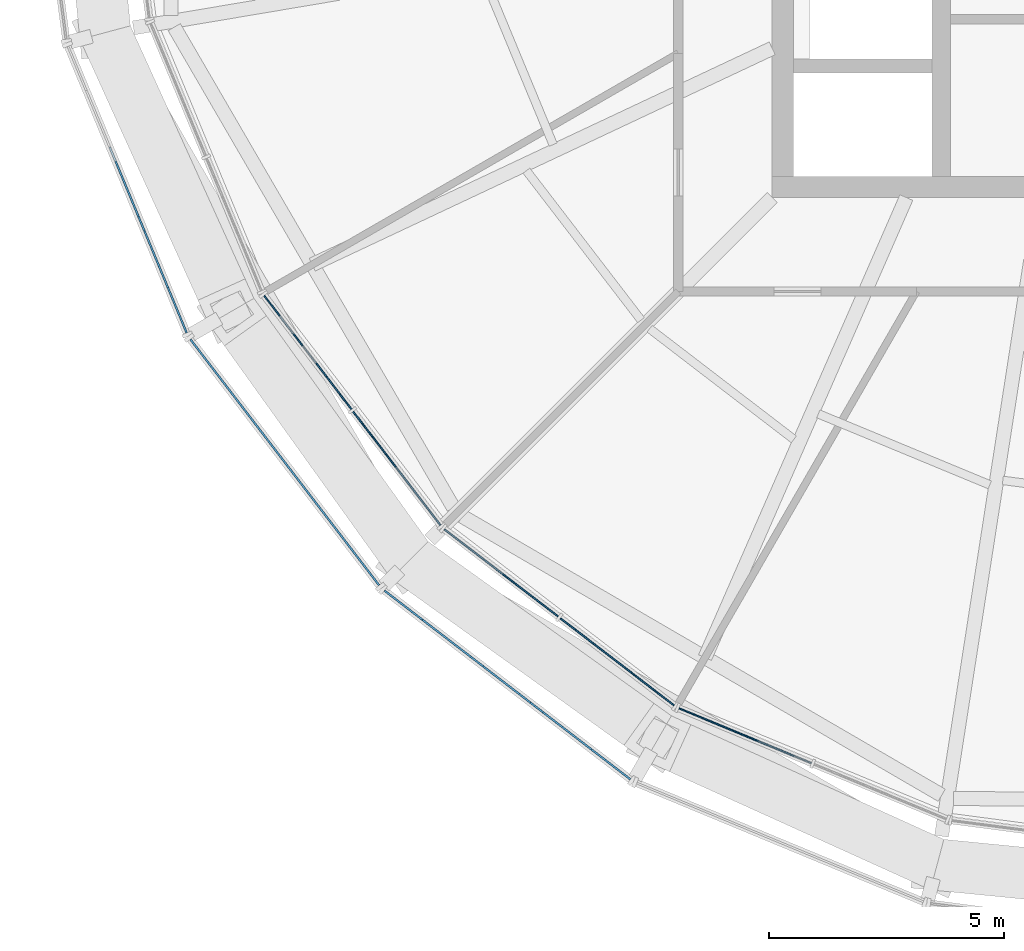
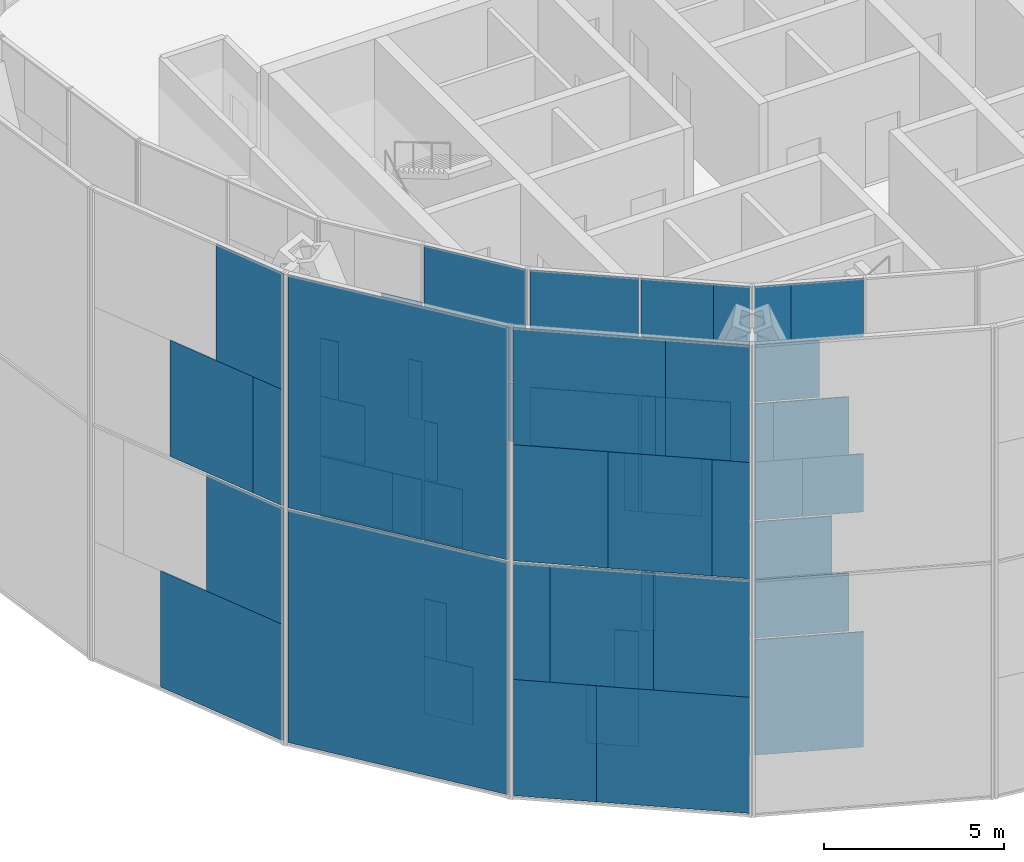
# One storey, part 13 of 30: 63 plates, 6 elements without a shape of their own.
"""IFC4 building model written with IfcOpenShell, lengths in metres."""

import ifcopenshell
import ifcopenshell.guid

model = None  # the IFC model being written
_history = None  # IfcOwnerHistory: only IFC2X3 demands one
_inside = {}  # id of a spatial element -> (the spatial element, [elements in it])
_under = {}  # id of a project, library or spatial element -> (it, [spatial elements below it])
_declared = {}  # id of a project -> (the project, [libraries it declares])
_typed = {}  # id of a type object -> (the type object, [elements of that type])
_made_of = {}  # id of a material, layer set ... -> (it, [elements and type objects made of it])


def new_model(schema):
    """Start an empty IFC model of exactly this schema.

    Asked for "IFC4X3", IfcOpenShell would pick the latest addendum, in which some entities
    have other attributes; the version numbers below select the first issue.
    IFC2X3 requires an IfcOwnerHistory on every rooted entity: one is made here for all.
    """
    global model, _history
    if schema == "IFC4X3":
        model = ifcopenshell.file(schema_version=(4, 3, 0, 0))
    else:
        model = ifcopenshell.file(schema=schema)
    _inside.clear()
    _under.clear()
    _declared.clear()
    _typed.clear()
    _made_of.clear()
    _history = None
    if model.schema == "IFC2X3":
        org = make("IfcOrganization", Name="unknown")
        user = make(
            "IfcPersonAndOrganization",
            ThePerson=make("IfcPerson", FamilyName="unknown"),
            TheOrganization=org,
        )
        app = make(
            "IfcApplication",
            ApplicationDeveloper=org,
            Version="unknown",
            ApplicationFullName="unknown",
            ApplicationIdentifier="unknown",
        )
        _history = make(
            "IfcOwnerHistory",
            OwningUser=user,
            OwningApplication=app,
            ChangeAction="ADDED",
            CreationDate=0,
        )
    return model


def make(cls, **values):
    """One entity of the class cls with the attributes given. An attribute that is None is left unset."""
    return model.create_entity(
        cls, **{name: value for name, value in values.items() if value is not None}
    )


def rooted(cls, **values):
    """An entity with a GlobalId (a new one), such as an element, a storey or a relation."""
    return make(cls, GlobalId=ifcopenshell.guid.new(), OwnerHistory=_history, **values)


def si_unit(unit_type, name, prefix=None):
    """IfcSIUnit, for example si_unit("LENGTHUNIT", "METRE", prefix="MILLI")."""
    return make("IfcSIUnit", UnitType=unit_type, Prefix=prefix, Name=name)


def assignment(units):
    """IfcUnitAssignment: the units of a project."""
    return None if units is None else make("IfcUnitAssignment", Units=units)


def point(xyz):
    """IfcCartesianPoint."""
    return None if xyz is None else make("IfcCartesianPoint", Coordinates=xyz)


def direction(xyz):
    """IfcDirection."""
    return None if xyz is None else make("IfcDirection", DirectionRatios=xyz)


def frame(location, z_axis=None, x_axis=None):
    """IfcAxis2Placement3D, a coordinate frame: its origin and axes. An axis left out is left unset."""
    return make(
        "IfcAxis2Placement3D",
        Location=point(location),
        Axis=direction(z_axis),
        RefDirection=direction(x_axis),
    )


def frame_2d(location, x_axis=None):
    """IfcAxis2Placement2D, a coordinate frame in the plane: its origin and x axis."""
    return make(
        "IfcAxis2Placement2D", Location=point(location), RefDirection=direction(x_axis)
    )


def origin():
    """The frame at (0, 0, 0) with its axes left unset."""
    return frame((0.0, 0.0, 0.0))


def origin_2d():
    """The frame at (0, 0) in the plane with its x axis left unset."""
    return frame_2d((0.0, 0.0))


def place(relative_to, where):
    """IfcLocalPlacement: puts the frame where relative to a parent placement (None: the world)."""
    return make(
        "IfcLocalPlacement", PlacementRelTo=relative_to, RelativePlacement=where
    )


def context(
    kind, dimensions, precision=None, world=None, true_north=None, identifier=None
):
    """IfcGeometricRepresentationContext, for example the 3D "Model" context."""
    return make(
        "IfcGeometricRepresentationContext",
        ContextIdentifier=identifier,
        ContextType=kind,
        CoordinateSpaceDimension=dimensions,
        Precision=precision,
        WorldCoordinateSystem=world,
        TrueNorth=true_north,
    )


def subcontext(parent, identifier, kind, view, scale=None):
    """IfcGeometricRepresentationSubContext, for example "Body" below "Model"."""
    return make(
        "IfcGeometricRepresentationSubContext",
        ContextIdentifier=identifier,
        ContextType=kind,
        ParentContext=parent,
        TargetScale=scale,
        TargetView=view,
    )


def project(units=None, contexts=None):
    """IfcProject with its units and contexts."""
    return rooted(
        "IfcProject",
        Name="project",
        RepresentationContexts=contexts,
        UnitsInContext=assignment(units),
    )


def spatial(cls, under=None, at=None, **own):
    """A site, building, storey or space (cls), placed at a placement, below another one or the project."""
    s = rooted(cls, ObjectPlacement=at, **own)
    if under is not None:
        _under.setdefault(under.id(), (under, []))[1].append(s)
    return s


def profile(cls, at=None, kind="AREA", **sizes):
    """A parametric profile (cls). Its sizes go by their IFC names, for example OverallWidth=200.0."""
    return make(cls, ProfileType=kind, Position=at, **sizes)


def rectangle(**sizes):
    """IfcRectangleProfileDef."""
    return profile("IfcRectangleProfileDef", **sizes)


def extrude(swept, where, along, depth):
    """IfcExtrudedAreaSolid: the profile swept, set in the frame where, extruded along a direction by depth."""
    return make(
        "IfcExtrudedAreaSolid",
        SweptArea=swept,
        Position=where,
        ExtrudedDirection=direction(along),
        Depth=depth,
    )


def shape(context_of_items, identifier, shape_type, items):
    """IfcShapeRepresentation: the items that make up one representation, for example the "Body"."""
    return make(
        "IfcShapeRepresentation",
        ContextOfItems=context_of_items,
        RepresentationIdentifier=identifier,
        RepresentationType=shape_type,
        Items=items,
    )


def material(Name=None, Category=None):
    """IfcMaterial."""
    return make("IfcMaterial", Name=Name, Category=Category)


def layer(
    of_material, thickness, ventilated=None, Name=None, Category=None, Priority=None
):
    """IfcMaterialLayer: one layer of a wall or slab, of a material (None: an air gap)."""
    return make(
        "IfcMaterialLayer",
        Material=of_material,
        LayerThickness=thickness,
        IsVentilated=ventilated,
        Name=Name,
        Category=Category,
        Priority=Priority,
    )


def layer_set(layers, Name=None):
    """IfcMaterialLayerSet."""
    return make("IfcMaterialLayerSet", MaterialLayers=layers, LayerSetName=Name)


def made_of(thing, what):
    """Note that an element or type object is made of a material, layer set ...; save() writes the relation."""
    if what is not None:
        _made_of.setdefault(what.id(), (what, []))[1].append(thing)
    return thing


def type_object(cls, material=None, **own):
    """A type object (cls), such as IfcWallType, which elements share."""
    return made_of(rooted(cls, **own), material)


def element(
    cls,
    number,
    at=None,
    inside=None,
    cuts=None,
    type_object=None,
    material=None,
    context=None,
    identifier="Body",
    shape_type=None,
    held_by="IfcProductDefinitionShape",
    body=None,
    shapes=None,
    **own,
):
    """One element of the class cls, such as IfcWall. Its Tag is "e" and its number.

    at: its placement. inside: the storey or other place that contains it. cuts: it is an
    opening in that element (IfcRelVoidsElement). A single representation is given by context,
    identifier, shape_type and body (its items); several are given by shapes. held_by: the class
    of the entity that holds the representations. save() writes the other relations.
    """
    e = rooted(cls, Tag="e%d" % number, ObjectPlacement=at, **own)
    if body is not None:
        shapes = [shape(context, identifier, shape_type, body)]
    if shapes is not None:
        e.Representation = make(held_by, Representations=shapes)
    if inside is not None:
        _inside.setdefault(inside.id(), (inside, []))[1].append(e)
    if cuts is not None:
        rooted(
            "IfcRelVoidsElement", RelatingBuildingElement=cuts, RelatedOpeningElement=e
        )
    if type_object is not None:
        _typed.setdefault(type_object.id(), (type_object, []))[1].append(e)
    return made_of(e, material)


def aggregate(whole, parts):
    """IfcRelAggregates: a whole, such as a stair, and the parts it consists of."""
    return rooted("IfcRelAggregates", RelatingObject=whole, RelatedObjects=parts)


def save(model, path):
    """Write the relations noted so far, then the file.

    IfcRelAggregates (storeys below a building ...), IfcRelContainedInSpatialStructure (elements
    in a storey), IfcRelDefinesByType, IfcRelAssociatesMaterial and IfcRelDeclares: one each for
    every whole, place, type object, material and project.
    """
    for whole, parts in _under.values():
        aggregate(whole, parts)
    for where, things in _inside.values():
        rooted(
            "IfcRelContainedInSpatialStructure",
            RelatedElements=things,
            RelatingStructure=where,
        )
    for kind, things in _typed.values():
        rooted("IfcRelDefinesByType", RelatedObjects=things, RelatingType=kind)
    for what, things in _made_of.values():
        rooted("IfcRelAssociatesMaterial", RelatedObjects=things, RelatingMaterial=what)
    for by, libraries in _declared.values():
        rooted("IfcRelDeclares", RelatingContext=by, RelatedDefinitions=libraries)
    model.write(path)


model = new_model("IFC4")

# Units and contexts
model_context = context("Model", 3, precision=1e-05, world=origin(), true_north=direction((0.0, 1.0)))
body_context = subcontext(model_context, "Body", "Model", "MODEL_VIEW")
ifc_project = project(units=[si_unit("LENGTHUNIT", "METRE"), si_unit("AREAUNIT", "SQUARE_METRE"), si_unit("VOLUMEUNIT", "CUBIC_METRE"), si_unit("PLANEANGLEUNIT", "RADIAN"), si_unit("MASSUNIT", "GRAM", prefix="KILO")], contexts=[model_context])

# Site, building, storey
site_placement = place(None, origin())
site = spatial("IfcSite", under=ifc_project, at=site_placement, CompositionType="ELEMENT")
building_placement = place(site_placement, origin())
building = spatial("IfcBuilding", under=site, at=building_placement, Name="Golbaran Civic Tower", CompositionType="ELEMENT")
storey_placement = place(building_placement, frame((0.0, 0.0, 167.0)))
storey = spatial("IfcBuildingStorey", under=building, at=storey_placement, Name="L40", CompositionType="ELEMENT", Elevation=167.0)

# Curtain wall, plates
ifc_material_1 = material(Name="Aluminium and glass", Category="aluminium")
curtain_wall_type_1 = type_object("IfcCurtainWallType", Name="INNER SKIN CURTAIN WALL EXECUTIVE", PredefinedType="NOTDEFINED", material=ifc_material_1)
curtain_wall_1_placement = place(storey_placement, origin())
curtain_wall_1 = element("IfcCurtainWall", 1, at=curtain_wall_1_placement, inside=storey, type_object=curtain_wall_type_1, Name="Inner skin L40 facet 15 CW2", ObjectType="INNER SKIN", PredefinedType="USERDEFINED")
ifc_material_2 = material(Name="Clear insulating glass", Category="glass")
ifc_layer_1 = layer(ifc_material_2, 0.031982421875, Name="Clear insulating glass")
ifc_layer_set_1 = layer_set([ifc_layer_1], Name="Clear insulating glass")
plate_type_1 = type_object("IfcPlateType", Name="INNER SKIN CURTAIN WALL EXECUTIVE GLAZED PANEL", PredefinedType="CURTAIN_PANEL", material=ifc_layer_set_1)
plate_1_placement = place(storey_placement, frame((-20.0126953125, -13.14111328125, 4.02978515625), z_axis=(0.0, 0.0, 1.0), x_axis=(0.608761429036, -0.79335334027, 0.0)))
plate_1 = element("IfcPlate", 2, at=plate_1_placement, type_object=plate_type_1, Name="CW2 panel 1.2 part 1", PredefinedType="CURTAIN_PANEL", context=body_context, shape_type="SweptSolid", body=[
    extrude(rectangle(XDim=2.652099609375, YDim=0.031982421875, at=origin_2d()), origin(), (0.0, 0.0, 1.0), 1.969970703125),
])
plate_2_placement = place(storey_placement, frame((-20.15966796875, -12.949462890625, 6.0), z_axis=(0.0, 0.0, 1.0), x_axis=(0.608761429036, -0.79335334027, 0.0)))
plate_2 = element("IfcPlate", 3, at=plate_2_placement, type_object=plate_type_1, Name="CW2 panel 1.2 part 3", PredefinedType="CURTAIN_PANEL", context=body_context, shape_type="SweptSolid", body=[
    extrude(rectangle(XDim=2.1689453125, YDim=0.031982421875, at=origin_2d()), origin(), (0.0, 0.0, 1.0), 1.969970703125),
])
plate_3_placement = place(storey_placement, frame((-20.411376953125, -12.621337890625, 8.02978515625), z_axis=(0.0, 0.0, 1.0), x_axis=(0.608761429036, -0.79335334027, 0.0)))
plate_3 = element("IfcPlate", 4, at=plate_3_placement, type_object=plate_type_1, Name="CW2 panel 1.3 part 1", PredefinedType="CURTAIN_PANEL", context=body_context, shape_type="SweptSolid", body=[
    extrude(rectangle(XDim=1.342041015625, YDim=0.031982421875, at=origin_2d()), origin(), (0.0, 0.0, 1.0), 1.969970703125),
])
plate_4_placement = place(storey_placement, frame((-20.655517578125, -12.30322265625, 10.0), z_axis=(0.0, 0.0, 1.0), x_axis=(0.608761429036, -0.79335334027, 0.0)))
plate_4 = element("IfcPlate", 5, at=plate_4_placement, type_object=plate_type_1, Name="CW2 panel 1.3 part 3", PredefinedType="CURTAIN_PANEL", context=body_context, shape_type="SweptSolid", body=[
    extrude(rectangle(XDim=0.5400390625, YDim=0.031982421875, at=origin_2d()), origin(), (0.0, 0.0, 1.0), 1.969970703125),
])
plate_5_placement = place(storey_placement, frame((-19.085205078125, -14.349853515625, 10.0), z_axis=(0.0, 0.0, 1.0), x_axis=(0.608761429036, -0.79335334027, 0.0)))
plate_5 = element("IfcPlate", 6, at=plate_5_placement, type_object=plate_type_1, Name="CW2 panel 1.3 part 5", PredefinedType="CURTAIN_PANEL", context=body_context, shape_type="SweptSolid", body=[
    extrude(rectangle(XDim=0.407470703125, YDim=0.031982421875, at=origin_2d()), origin(), (0.0, 0.0, 1.0), 1.969970703125),
])
plate_6_placement = place(storey_placement, frame((-19.336669921875, -14.022216796875, 12.030029296875), z_axis=(0.0, 0.0, 1.0), x_axis=(0.608761429036, -0.79335334027, 0.0)))
plate_6 = element("IfcPlate", 7, at=plate_6_placement, type_object=plate_type_1, Name="CW2 panel 1.4 part 2", PredefinedType="CURTAIN_PANEL", context=body_context, shape_type="SweptSolid", body=[
    extrude(rectangle(XDim=1.2333984375, YDim=0.031982421875, at=origin_2d()), origin(), (0.0, 0.0, 1.0), 1.955078125),
])
plate_7_placement = place(storey_placement, frame((-18.47412109375, -15.146240234375, 0.06005859375), z_axis=(0.0, 0.0, 1.0), x_axis=(0.608761429036, -0.79335334027, 0.0)))
plate_7 = element("IfcPlate", 8, at=plate_7_placement, type_object=plate_type_1, Name="CW2 panel 2.1 part 1", PredefinedType="CURTAIN_PANEL", context=body_context, shape_type="SweptSolid", body=[
    extrude(rectangle(XDim=1.47998046875, YDim=0.031982421875, at=origin_2d()), origin(), (0.0, 0.0, 1.0), 1.955078125),
])
plate_8_placement = place(storey_placement, frame((-18.71630859375, -14.83056640625, 2.014892578125), z_axis=(0.0, 0.0, 1.0), x_axis=(0.608761429036, -0.79335334027, 0.0)))
plate_8 = element("IfcPlate", 9, at=plate_8_placement, type_object=plate_type_1, Name="CW2 panel 2.1 part 3", PredefinedType="CURTAIN_PANEL", context=body_context, shape_type="SweptSolid", body=[
    extrude(rectangle(XDim=0.68408203125, YDim=0.031982421875, at=origin_2d()), origin(), (0.0, 0.0, 1.0), 1.955078125),
])
plate_9_placement = place(storey_placement, frame((-17.9951171875, -15.7705078125, 10.0), z_axis=(0.0, 0.0, 1.0), x_axis=(0.608761429036, -0.79335334027, 0.0)))
plate_9 = element("IfcPlate", 10, at=plate_9_placement, type_object=plate_type_1, Name="CW2 panel 2.3 part 3", PredefinedType="CURTAIN_PANEL", context=body_context, shape_type="SweptSolid", body=[
    extrude(rectangle(XDim=3.053466796875, YDim=0.031982421875, at=origin_2d()), origin(), (0.0, 0.0, 1.0), 1.969970703125),
])
plate_10_placement = place(storey_placement, frame((-17.9951171875, -15.7705078125, 12.0302734375), z_axis=(0.0, 0.0, 1.0), x_axis=(0.608761429036, -0.79335334027, 0.0)))
plate_10 = element("IfcPlate", 11, at=plate_10_placement, type_object=plate_type_1, Name="CW2 panel 2.4", PredefinedType="CURTAIN_PANEL", context=body_context, shape_type="SweptSolid", body=[
    extrude(rectangle(XDim=3.053466796875, YDim=0.031982421875, at=origin_2d()), origin(), (0.0, 0.0, 1.0), 3.909912109375),
])

curtain_wall_2_placement = place(storey_placement, origin())
curtain_wall_2 = element("IfcCurtainWall", 12, at=curtain_wall_2_placement, inside=storey, type_object=curtain_wall_type_1, Name="Inner skin L40 facet 16 CW2", ObjectType="INNER SKIN", PredefinedType="USERDEFINED")
plate_11_placement = place(storey_placement, frame((-15.14599609375, -18.474365234375, 0.06005859375), z_axis=(0.0, 0.0, 1.0), x_axis=(0.79335334027, -0.608761429036, 0.0)))
plate_11 = element("IfcPlate", 13, at=plate_11_placement, type_object=plate_type_1, Name="CW2 panel 1.1 part 2", PredefinedType="CURTAIN_PANEL", context=body_context, shape_type="SweptSolid", body=[
    extrude(rectangle(XDim=1.4794921875, YDim=0.031982421875, at=origin_2d()), origin(), (0.0, 0.0, 1.0), 1.955078125),
])
plate_12_placement = place(storey_placement, frame((-14.830322265625, -18.716552734375, 2.014892578125), z_axis=(0.0, 0.0, 1.0), x_axis=(0.79335334027, -0.608761429036, 0.0)))
plate_12 = element("IfcPlate", 14, at=plate_12_placement, type_object=plate_type_1, Name="CW2 panel 1.1 part 4", PredefinedType="CURTAIN_PANEL", context=body_context, shape_type="SweptSolid", body=[
    extrude(rectangle(XDim=0.683349609375, YDim=0.031982421875, at=origin_2d()), origin(), (0.0, 0.0, 1.0), 1.955078125),
])
plate_13_placement = place(storey_placement, frame((-15.7705078125, -17.9951171875, 10.0), z_axis=(0.0, 0.0, 1.0), x_axis=(0.79335334027, -0.608761429036, 0.0)))
plate_13 = element("IfcPlate", 15, at=plate_13_placement, type_object=plate_type_1, Name="CW2 panel 1.3 part 3", PredefinedType="CURTAIN_PANEL", context=body_context, shape_type="SweptSolid", body=[
    extrude(rectangle(XDim=3.053466796875, YDim=0.031982421875, at=origin_2d()), origin(), (0.0, 0.0, 1.0), 1.969970703125),
])
plate_14_placement = place(storey_placement, frame((-15.7705078125, -17.9951171875, 12.0302734375), z_axis=(0.0, 0.0, 1.0), x_axis=(0.79335334027, -0.608761429036, 0.0)))
plate_14 = element("IfcPlate", 16, at=plate_14_placement, type_object=plate_type_1, Name="CW2 panel 1.4", PredefinedType="CURTAIN_PANEL", context=body_context, shape_type="SweptSolid", body=[
    extrude(rectangle(XDim=3.053466796875, YDim=0.031982421875, at=origin_2d()), origin(), (0.0, 0.0, 1.0), 3.909912109375),
])
plate_15_placement = place(storey_placement, frame((-13.30029296875, -19.890625, 0.06005859375), z_axis=(0.0, 0.0, 1.0), x_axis=(0.79335334027, -0.608761429036, 0.0)))
plate_15 = element("IfcPlate", 17, at=plate_15_placement, type_object=plate_type_1, Name="CW2 panel 2.1", PredefinedType="CURTAIN_PANEL", context=body_context, shape_type="SweptSolid", body=[
    extrude(rectangle(XDim=3.053466796875, YDim=0.031982421875, at=origin_2d()), origin(), (0.0, 0.0, 1.0), 3.909912109375),
])
plate_16_placement = place(storey_placement, frame((-13.141357421875, -20.0126953125, 4.02978515625), z_axis=(0.0, 0.0, 1.0), x_axis=(0.79335334027, -0.608761429036, 0.0)))
plate_16 = element("IfcPlate", 18, at=plate_16_placement, type_object=plate_type_1, Name="CW2 panel 2.2 part 2", PredefinedType="CURTAIN_PANEL", context=body_context, shape_type="SweptSolid", body=[
    extrude(rectangle(XDim=2.65234375, YDim=0.031982421875, at=origin_2d()), origin(), (0.0, 0.0, 1.0), 1.969970703125),
])
plate_17_placement = place(storey_placement, frame((-12.94921875, -20.159912109375, 6.0), z_axis=(0.0, 0.0, 1.0), x_axis=(0.79335334027, -0.608761429036, 0.0)))
plate_17 = element("IfcPlate", 19, at=plate_17_placement, type_object=plate_type_1, Name="CW2 panel 2.2 part 4", PredefinedType="CURTAIN_PANEL", context=body_context, shape_type="SweptSolid", body=[
    extrude(rectangle(XDim=2.16845703125, YDim=0.031982421875, at=origin_2d()), origin(), (0.0, 0.0, 1.0), 1.969970703125),
])
plate_18_placement = place(storey_placement, frame((-12.62158203125, -20.411376953125, 8.02978515625), z_axis=(0.0, 0.0, 1.0), x_axis=(0.79335334027, -0.608761429036, 0.0)))
plate_18 = element("IfcPlate", 20, at=plate_18_placement, type_object=plate_type_1, Name="CW2 panel 2.3 part 2", PredefinedType="CURTAIN_PANEL", context=body_context, shape_type="SweptSolid", body=[
    extrude(rectangle(XDim=1.342529296875, YDim=0.031982421875, at=origin_2d()), origin(), (0.0, 0.0, 1.0), 1.969970703125),
])
plate_19_placement = place(storey_placement, frame((-14.35009765625, -19.0849609375, 10.0), z_axis=(0.0, 0.0, 1.0), x_axis=(0.79335334027, -0.608761429036, 0.0)))
plate_19 = element("IfcPlate", 21, at=plate_19_placement, type_object=plate_type_1, Name="CW2 panel 2.3 part 3", PredefinedType="CURTAIN_PANEL", context=body_context, shape_type="SweptSolid", body=[
    extrude(rectangle(XDim=0.406982421875, YDim=0.031982421875, at=origin_2d()), origin(), (0.0, 0.0, 1.0), 1.969970703125),
])
plate_20_placement = place(storey_placement, frame((-12.302978515625, -20.65576171875, 10.0), z_axis=(0.0, 0.0, 1.0), x_axis=(0.79335334027, -0.608761429036, 0.0)))
plate_20 = element("IfcPlate", 22, at=plate_20_placement, type_object=plate_type_1, Name="CW2 panel 2.3 part 5", PredefinedType="CURTAIN_PANEL", context=body_context, shape_type="SweptSolid", body=[
    extrude(rectangle(XDim=0.53955078125, YDim=0.031982421875, at=origin_2d()), origin(), (0.0, 0.0, 1.0), 1.969970703125),
])
plate_21_placement = place(storey_placement, frame((-14.02197265625, -19.336669921875, 12.030029296875), z_axis=(0.0, 0.0, 1.0), x_axis=(0.79335334027, -0.608761429036, 0.0)))
plate_21 = element("IfcPlate", 23, at=plate_21_placement, type_object=plate_type_1, Name="CW2 panel 2.4 part 1", PredefinedType="CURTAIN_PANEL", context=body_context, shape_type="SweptSolid", body=[
    extrude(rectangle(XDim=1.23388671875, YDim=0.031982421875, at=origin_2d()), origin(), (0.0, 0.0, 1.0), 1.955078125),
])
plate_22_placement = place(storey_placement, frame((-13.706298828125, -19.5791015625, 13.98486328125), z_axis=(0.0, 0.0, 1.0), x_axis=(0.79335334027, -0.608761429036, 0.0)))
plate_22 = element("IfcPlate", 24, at=plate_22_placement, type_object=plate_type_1, Name="CW2 panel 2.4 part 3", PredefinedType="CURTAIN_PANEL", context=body_context, shape_type="SweptSolid", body=[
    extrude(rectangle(XDim=2.030029296875, YDim=0.031982421875, at=origin_2d()), origin(), (0.0, 0.0, 1.0), 1.955078125),
])

curtain_wall_3_placement = place(storey_placement, origin())
curtain_wall_3 = element("IfcCurtainWall", 25, at=curtain_wall_3_placement, inside=storey, type_object=curtain_wall_type_1, Name="Inner skin L40 facet 17 CW2", ObjectType="INNER SKIN", PredefinedType="USERDEFINED")
plate_23_placement = place(storey_placement, frame((-10.575439453125, -21.463623046875, 0.06005859375), z_axis=(0.0, 0.0, 1.0), x_axis=(0.923879532471, -0.382683432462, 0.0)))
plate_23 = element("IfcPlate", 26, at=plate_23_placement, type_object=plate_type_1, Name="CW2 panel 1.1", PredefinedType="CURTAIN_PANEL", context=body_context, shape_type="SweptSolid", body=[
    extrude(rectangle(XDim=3.053466796875, YDim=0.031982421875, at=origin_2d()), origin(), (0.0, 0.0, 1.0), 3.909912109375),
])
plate_24_placement = place(storey_placement, frame((-10.760986328125, -21.386962890625, 4.02978515625), z_axis=(0.0, 0.0, 1.0), x_axis=(0.923879532471, -0.382683432462, 0.0)))
plate_24 = element("IfcPlate", 27, at=plate_24_placement, type_object=plate_type_1, Name="CW2 panel 1.2 part 1", PredefinedType="CURTAIN_PANEL", context=body_context, shape_type="SweptSolid", body=[
    extrude(rectangle(XDim=2.652099609375, YDim=0.031982421875, at=origin_2d()), origin(), (0.0, 0.0, 1.0), 1.969970703125),
])
plate_25_placement = place(storey_placement, frame((-10.984130859375, -21.29443359375, 6.0), z_axis=(0.0, 0.0, 1.0), x_axis=(0.923879532471, -0.382683432462, 0.0)))
plate_25 = element("IfcPlate", 28, at=plate_25_placement, type_object=plate_type_1, Name="CW2 panel 1.2 part 3", PredefinedType="CURTAIN_PANEL", context=body_context, shape_type="SweptSolid", body=[
    extrude(rectangle(XDim=2.1689453125, YDim=0.031982421875, at=origin_2d()), origin(), (0.0, 0.0, 1.0), 1.969970703125),
])
plate_26_placement = place(storey_placement, frame((-11.3662109375, -21.13623046875, 8.02978515625), z_axis=(0.0, 0.0, 1.0), x_axis=(0.923879532471, -0.382683432462, 0.0)))
plate_26 = element("IfcPlate", 29, at=plate_26_placement, type_object=plate_type_1, Name="CW2 panel 1.3 part 1", PredefinedType="CURTAIN_PANEL", context=body_context, shape_type="SweptSolid", body=[
    extrude(rectangle(XDim=1.342041015625, YDim=0.031982421875, at=origin_2d()), origin(), (0.0, 0.0, 1.0), 1.969970703125),
])
plate_27_placement = place(storey_placement, frame((-11.736572265625, -20.982666015625, 10.0), z_axis=(0.0, 0.0, 1.0), x_axis=(0.923879532471, -0.382683432462, 0.0)))
plate_27 = element("IfcPlate", 30, at=plate_27_placement, type_object=plate_type_1, Name="CW2 panel 1.3 part 3", PredefinedType="CURTAIN_PANEL", context=body_context, shape_type="SweptSolid", body=[
    extrude(rectangle(XDim=0.5400390625, YDim=0.031982421875, at=origin_2d()), origin(), (0.0, 0.0, 1.0), 1.969970703125),
])
plate_28_placement = place(storey_placement, frame((-10.1025390625, -21.65966796875, 13.98486328125), z_axis=(0.0, 0.0, 1.0), x_axis=(0.923879532471, -0.382683432462, 0.0)))
plate_28 = element("IfcPlate", 31, at=plate_28_placement, type_object=plate_type_1, Name="CW2 panel 1.4 part 4", PredefinedType="CURTAIN_PANEL", context=body_context, shape_type="SweptSolid", body=[
    extrude(rectangle(XDim=2.029541015625, YDim=0.031982421875, at=origin_2d()), origin(), (0.0, 0.0, 1.0), 1.955078125),
])

# Plate
ifc_material_3 = material(Name="Aluminium faced opaque infill panel", Category="aluminium")
ifc_layer_2 = layer(ifc_material_3, 0.031982421875, Name="Aluminium faced opaque infill panel")
ifc_layer_set_2 = layer_set([ifc_layer_2], Name="Aluminium faced opaque infill panel")
plate_type_2 = type_object("IfcPlateType", Name="INNER SKIN CURTAIN WALL EXECUTIVE OPAQUE INFILL PANEL", PredefinedType="CURTAIN_PANEL", material=ifc_layer_set_2)
plate_29_placement = place(storey_placement, frame((-19.083251953125, -14.352294921875, 4.02978515625), z_axis=(0.0, 0.0, 1.0), x_axis=(0.608761429036, -0.79335334027, 0.0)))
plate_29 = element("IfcPlate", 32, at=plate_29_placement, type_object=plate_type_2, Name="CW2 infill panel 1.2 part 2", PredefinedType="CURTAIN_PANEL", context=body_context, shape_type="SweptSolid", body=[
    extrude(rectangle(XDim=0.4013671875, YDim=0.031982421875, at=origin_2d()), origin(), (0.0, 0.0, 1.0), 1.969970703125),
])

plate_30_placement = place(storey_placement, frame((-19.23046875, -14.16064453125, 6.0), z_axis=(0.0, 0.0, 1.0), x_axis=(0.608761429036, -0.79335334027, 0.0)))
plate_30 = element("IfcPlate", 33, at=plate_30_placement, type_object=plate_type_2, Name="CW2 infill panel 1.2 part 4", PredefinedType="CURTAIN_PANEL", context=body_context, shape_type="SweptSolid", body=[
    extrude(rectangle(XDim=0.884521484375, YDim=0.031982421875, at=origin_2d()), origin(), (0.0, 0.0, 1.0), 1.969970703125),
])

plate_31_placement = place(storey_placement, frame((-18.326904296875, -15.338134765625, 4.02978515625), z_axis=(0.0, 0.0, 1.0), x_axis=(0.608761429036, -0.79335334027, 0.0)))
plate_31 = element("IfcPlate", 34, at=plate_31_placement, type_object=plate_type_2, Name="CW2 infill panel 2.2 part 1", PredefinedType="CURTAIN_PANEL", context=body_context, shape_type="SweptSolid", body=[
    extrude(rectangle(XDim=1.964111328125, YDim=0.031982421875, at=origin_2d()), origin(), (0.0, 0.0, 1.0), 1.969970703125),
])

plate_32_placement = place(storey_placement, frame((-18.5712890625, -15.019775390625, 6.0), z_axis=(0.0, 0.0, 1.0), x_axis=(0.608761429036, -0.79335334027, 0.0)))
plate_32 = element("IfcPlate", 35, at=plate_32_placement, type_object=plate_type_2, Name="CW2 infill panel 2.2 part 3", PredefinedType="CURTAIN_PANEL", context=body_context, shape_type="SweptSolid", body=[
    extrude(rectangle(XDim=1.160888671875, YDim=0.031982421875, at=origin_2d()), origin(), (0.0, 0.0, 1.0), 1.969970703125),
])

plate_33_placement = place(storey_placement, frame((-18.802490234375, -14.71826171875, 8.02978515625), z_axis=(0.0, 0.0, 1.0), x_axis=(0.608761429036, -0.79335334027, 0.0)))
plate_33 = element("IfcPlate", 36, at=plate_33_placement, type_object=plate_type_2, Name="CW2 infill panel 2.3 part 1", PredefinedType="CURTAIN_PANEL", context=body_context, shape_type="SweptSolid", body=[
    extrude(rectangle(XDim=0.40087890625, YDim=0.031982421875, at=origin_2d()), origin(), (0.0, 0.0, 1.0), 1.969970703125),
])

aggregate(curtain_wall_1, [plate_1, plate_29, plate_2, plate_30, plate_3, plate_4, plate_5, plate_6, plate_7, plate_8, plate_31, plate_32, plate_33, plate_9, plate_10])

plate_34_placement = place(storey_placement, frame((-15.338134765625, -18.326904296875, 4.02978515625), z_axis=(0.0, 0.0, 1.0), x_axis=(0.79335334027, -0.608761429036, 0.0)))
plate_34 = element("IfcPlate", 37, at=plate_34_placement, type_object=plate_type_2, Name="CW2 infill panel 1.2 part 2", PredefinedType="CURTAIN_PANEL", context=body_context, shape_type="SweptSolid", body=[
    extrude(rectangle(XDim=1.96337890625, YDim=0.031982421875, at=origin_2d()), origin(), (0.0, 0.0, 1.0), 1.969970703125),
])

plate_35_placement = place(storey_placement, frame((-15.02001953125, -18.571044921875, 6.0), z_axis=(0.0, 0.0, 1.0), x_axis=(0.79335334027, -0.608761429036, 0.0)))
plate_35 = element("IfcPlate", 38, at=plate_35_placement, type_object=plate_type_2, Name="CW2 infill panel 1.2 part 4", PredefinedType="CURTAIN_PANEL", context=body_context, shape_type="SweptSolid", body=[
    extrude(rectangle(XDim=1.161376953125, YDim=0.031982421875, at=origin_2d()), origin(), (0.0, 0.0, 1.0), 1.969970703125),
])

plate_36_placement = place(storey_placement, frame((-14.718505859375, -18.802490234375, 8.02978515625), z_axis=(0.0, 0.0, 1.0), x_axis=(0.79335334027, -0.608761429036, 0.0)))
plate_36 = element("IfcPlate", 39, at=plate_36_placement, type_object=plate_type_2, Name="CW2 infill panel 1.3 part 2", PredefinedType="CURTAIN_PANEL", context=body_context, shape_type="SweptSolid", body=[
    extrude(rectangle(XDim=0.4013671875, YDim=0.031982421875, at=origin_2d()), origin(), (0.0, 0.0, 1.0), 1.969970703125),
])

plate_37_placement = place(storey_placement, frame((-14.3525390625, -19.083251953125, 4.02978515625), z_axis=(0.0, 0.0, 1.0), x_axis=(0.79335334027, -0.608761429036, 0.0)))
plate_37 = element("IfcPlate", 40, at=plate_37_placement, type_object=plate_type_2, Name="CW2 infill panel 2.2 part 1", PredefinedType="CURTAIN_PANEL", context=body_context, shape_type="SweptSolid", body=[
    extrude(rectangle(XDim=0.40087890625, YDim=0.031982421875, at=origin_2d()), origin(), (0.0, 0.0, 1.0), 1.969970703125),
])

plate_38_placement = place(storey_placement, frame((-14.160400390625, -19.23046875, 6.0), z_axis=(0.0, 0.0, 1.0), x_axis=(0.79335334027, -0.608761429036, 0.0)))
plate_38 = element("IfcPlate", 41, at=plate_38_placement, type_object=plate_type_2, Name="CW2 infill panel 2.2 part 3", PredefinedType="CURTAIN_PANEL", context=body_context, shape_type="SweptSolid", body=[
    extrude(rectangle(XDim=0.885009765625, YDim=0.031982421875, at=origin_2d()), origin(), (0.0, 0.0, 1.0), 1.969970703125),
])

plate_39_placement = place(storey_placement, frame((-13.832763671875, -19.48193359375, 8.02978515625), z_axis=(0.0, 0.0, 1.0), x_axis=(0.79335334027, -0.608761429036, 0.0)))
plate_39 = element("IfcPlate", 42, at=plate_39_placement, type_object=plate_type_2, Name="CW2 infill panel 2.3 part 1", PredefinedType="CURTAIN_PANEL", context=body_context, shape_type="SweptSolid", body=[
    extrude(rectangle(XDim=1.7109375, YDim=0.031982421875, at=origin_2d()), origin(), (0.0, 0.0, 1.0), 1.969970703125),
])

plate_40_placement = place(storey_placement, frame((-13.352783203125, -19.850341796875, 10.0), z_axis=(0.0, 0.0, 1.0), x_axis=(0.79335334027, -0.608761429036, 0.0)))
plate_40 = element("IfcPlate", 43, at=plate_40_placement, type_object=plate_type_2, Name="CW2 infill panel 2.3 part 4", PredefinedType="CURTAIN_PANEL", context=body_context, shape_type="SweptSolid", body=[
    extrude(rectangle(XDim=2.10693359375, YDim=0.031982421875, at=origin_2d()), origin(), (0.0, 0.0, 1.0), 1.969970703125),
])

plate_41_placement = place(storey_placement, frame((-12.810791015625, -20.26611328125, 12.030029296875), z_axis=(0.0, 0.0, 1.0), x_axis=(0.79335334027, -0.608761429036, 0.0)))
plate_41 = element("IfcPlate", 44, at=plate_41_placement, type_object=plate_type_2, Name="CW2 infill panel 2.4 part 2", PredefinedType="CURTAIN_PANEL", context=body_context, shape_type="SweptSolid", body=[
    extrude(rectangle(XDim=1.819580078125, YDim=0.031982421875, at=origin_2d()), origin(), (0.0, 0.0, 1.0), 1.955078125),
])

plate_42_placement = place(storey_placement, frame((-12.4951171875, -20.508544921875, 13.98486328125), z_axis=(0.0, 0.0, 1.0), x_axis=(0.79335334027, -0.608761429036, 0.0)))
plate_42 = element("IfcPlate", 45, at=plate_42_placement, type_object=plate_type_2, Name="CW2 infill panel 2.4 part 4", PredefinedType="CURTAIN_PANEL", context=body_context, shape_type="SweptSolid", body=[
    extrude(rectangle(XDim=1.0234375, YDim=0.031982421875, at=origin_2d()), origin(), (0.0, 0.0, 1.0), 1.955078125),
])

aggregate(curtain_wall_2, [plate_11, plate_12, plate_34, plate_35, plate_36, plate_13, plate_14, plate_15, plate_37, plate_16, plate_38, plate_17, plate_39, plate_18, plate_19, plate_40, plate_20, plate_21, plate_41, plate_22, plate_42])

plate_43_placement = place(storey_placement, frame((-9.95556640625, -21.720458984375, 8.02978515625), z_axis=(0.0, 0.0, 1.0), x_axis=(0.923879532471, -0.382683432462, 0.0)))
plate_43 = element("IfcPlate", 46, at=plate_43_placement, type_object=plate_type_2, Name="CW2 infill panel 1.3 part 2", PredefinedType="CURTAIN_PANEL", context=body_context, shape_type="SweptSolid", body=[
    extrude(rectangle(XDim=1.71142578125, YDim=0.031982421875, at=origin_2d()), origin(), (0.0, 0.0, 1.0), 1.969970703125),
])

plate_44_placement = place(storey_placement, frame((-10.514404296875, -21.489013671875, 10.0), z_axis=(0.0, 0.0, 1.0), x_axis=(0.923879532471, -0.382683432462, 0.0)))
plate_44 = element("IfcPlate", 47, at=plate_44_placement, type_object=plate_type_2, Name="CW2 infill panel 1.3 part 4", PredefinedType="CURTAIN_PANEL", context=body_context, shape_type="SweptSolid", body=[
    extrude(rectangle(XDim=2.10595703125, YDim=0.031982421875, at=origin_2d()), origin(), (0.0, 0.0, 1.0), 1.969970703125),
])

plate_45_placement = place(storey_placement, frame((-11.145263671875, -21.227783203125, 12.030029296875), z_axis=(0.0, 0.0, 1.0), x_axis=(0.923879532471, -0.382683432462, 0.0)))
plate_45 = element("IfcPlate", 48, at=plate_45_placement, type_object=plate_type_2, Name="CW2 infill panel 1.4 part 1", PredefinedType="CURTAIN_PANEL", context=body_context, shape_type="SweptSolid", body=[
    extrude(rectangle(XDim=1.820068359375, YDim=0.031982421875, at=origin_2d()), origin(), (0.0, 0.0, 1.0), 1.955078125),
])

plate_46_placement = place(storey_placement, frame((-11.512939453125, -21.075439453125, 13.98486328125), z_axis=(0.0, 0.0, 1.0), x_axis=(0.923879532471, -0.382683432462, 0.0)))
plate_46 = element("IfcPlate", 49, at=plate_46_placement, type_object=plate_type_2, Name="CW2 infill panel 1.4 part 3", PredefinedType="CURTAIN_PANEL", context=body_context, shape_type="SweptSolid", body=[
    extrude(rectangle(XDim=1.02392578125, YDim=0.031982421875, at=origin_2d()), origin(), (0.0, 0.0, 1.0), 1.955078125),
])

aggregate(curtain_wall_3, [plate_23, plate_24, plate_25, plate_26, plate_43, plate_27, plate_44, plate_45, plate_46, plate_28])

# Curtain wall, plates
curtain_wall_type_2 = type_object("IfcCurtainWallType", Name="OUTER SKIN TERRACOTTA SCREEN", PredefinedType="NOTDEFINED", material=ifc_material_1)
curtain_wall_4_placement = place(storey_placement, origin())
curtain_wall_4 = element("IfcCurtainWall", 50, at=curtain_wall_4_placement, inside=storey, type_object=curtain_wall_type_2, Name="Outer skin L40 facet 14 CW3", ObjectType="OUTER SKIN", PredefinedType="USERDEFINED")
ifc_material_4 = material(Name="Clear laminated glass", Category="glass")
ifc_layer_3 = layer(ifc_material_4, 0.0400390625, Name="Clear laminated glass")
ifc_layer_set_3 = layer_set([ifc_layer_3], Name="Clear laminated glass")
plate_type_3 = type_object("IfcPlateType", Name="OUTER SKIN CLEAR GLASS PANEL", PredefinedType="CURTAIN_PANEL", material=ifc_layer_set_3)
plate_47_placement = place(storey_placement, frame((-23.291748046875, -10.9033203125, -0.6298828125), z_axis=(0.0, 0.0, 1.0), x_axis=(0.382683432462, -0.923879532471, 0.0)))
plate_47 = element("IfcPlate", 51, at=plate_47_placement, type_object=plate_type_3, Name="CW3 panel 1.1 part 2", PredefinedType="CURTAIN_PANEL", context=body_context, shape_type="SweptSolid", body=[
    extrude(rectangle(XDim=4.28466796875, YDim=0.0400390625, at=origin_2d()), origin(), (0.0, 0.0, 1.0), 3.93994140625),
])
plate_48_placement = place(storey_placement, frame((-22.98486328125, -11.644287109375, 3.31005859375), z_axis=(0.0, 0.0, 1.0), x_axis=(0.382683432462, -0.923879532471, 0.0)))
plate_48 = element("IfcPlate", 52, at=plate_48_placement, type_object=plate_type_3, Name="CW3 panel 1.1 part 5", PredefinedType="CURTAIN_PANEL", context=body_context, shape_type="SweptSolid", body=[
    extrude(rectangle(XDim=2.6806640625, YDim=0.0400390625, at=origin_2d()), origin(), (0.0, 0.0, 1.0), 3.93994140625),
])
plate_49_placement = place(storey_placement, frame((-22.671630859375, -12.400390625, 7.330078125), z_axis=(0.0, 0.0, 1.0), x_axis=(0.382683432462, -0.923879532471, 0.0)))
plate_49 = element("IfcPlate", 53, at=plate_49_placement, type_object=plate_type_3, Name="CW3 panel 1.2 part 3", PredefinedType="CURTAIN_PANEL", context=body_context, shape_type="SweptSolid", body=[
    extrude(rectangle(XDim=1.043701171875, YDim=0.0400390625, at=origin_2d()), origin(), (0.0, 0.0, 1.0), 3.93994140625),
])

curtain_wall_5_placement = place(storey_placement, origin())
curtain_wall_5 = element("IfcCurtainWall", 54, at=curtain_wall_5_placement, inside=storey, type_object=curtain_wall_type_2, Name="Outer skin L40 facet 16 CW3", ObjectType="OUTER SKIN", PredefinedType="USERDEFINED")
plate_50_placement = place(storey_placement, frame((-14.719482421875, -21.08837890625, -0.6298828125), z_axis=(0.0, 0.0, 1.0), x_axis=(0.793353340323, -0.608761428967, 0.0)))
plate_50 = element("IfcPlate", 55, at=plate_50_placement, type_object=plate_type_3, Name="CW3 panel 1.1 part 2", PredefinedType="CURTAIN_PANEL", context=body_context, shape_type="SweptSolid", body=[
    extrude(rectangle(XDim=4.28466796875, YDim=0.0400390625, at=origin_2d()), origin(), (0.0, 0.0, 1.0), 3.93994140625),
])
plate_51_placement = place(storey_placement, frame((-17.856689453125, -18.68115234375, 3.31005859375), z_axis=(0.0, 0.0, 1.0), x_axis=(0.793353340323, -0.608761428967, 0.0)))
plate_51 = element("IfcPlate", 56, at=plate_51_placement, type_object=plate_type_3, Name="CW3 panel 1.1 part 3", PredefinedType="CURTAIN_PANEL", context=body_context, shape_type="SweptSolid", body=[
    extrude(rectangle(XDim=1.01611328125, YDim=0.0400390625, at=origin_2d()), origin(), (0.0, 0.0, 1.0), 3.93994140625),
])
plate_52_placement = place(storey_placement, frame((-14.083251953125, -21.57666015625, 3.31005859375), z_axis=(0.0, 0.0, 1.0), x_axis=(0.793353340323, -0.608761428967, 0.0)))
plate_52 = element("IfcPlate", 57, at=plate_52_placement, type_object=plate_type_3, Name="CW3 panel 1.1 part 5", PredefinedType="CURTAIN_PANEL", context=body_context, shape_type="SweptSolid", body=[
    extrude(rectangle(XDim=2.6806640625, YDim=0.0400390625, at=origin_2d()), origin(), (0.0, 0.0, 1.0), 3.93994140625),
])
plate_53_placement = place(storey_placement, frame((-17.207763671875, -19.17919921875, 7.330078125), z_axis=(0.0, 0.0, 1.0), x_axis=(0.793353340323, -0.608761428967, 0.0)))
plate_53 = element("IfcPlate", 58, at=plate_53_placement, type_object=plate_type_3, Name="CW3 panel 1.2 part 1", PredefinedType="CURTAIN_PANEL", context=body_context, shape_type="SweptSolid", body=[
    extrude(rectangle(XDim=2.652099609375, YDim=0.0400390625, at=origin_2d()), origin(), (0.0, 0.0, 1.0), 3.93994140625),
])
plate_54_placement = place(storey_placement, frame((-13.43408203125, -22.074951171875, 7.330078125), z_axis=(0.0, 0.0, 1.0), x_axis=(0.793353340323, -0.608761428967, 0.0)))
plate_54 = element("IfcPlate", 59, at=plate_54_placement, type_object=plate_type_3, Name="CW3 panel 1.2 part 3", PredefinedType="CURTAIN_PANEL", context=body_context, shape_type="SweptSolid", body=[
    extrude(rectangle(XDim=1.043701171875, YDim=0.0400390625, at=origin_2d()), origin(), (0.0, 0.0, 1.0), 3.93994140625),
])
plate_55_placement = place(storey_placement, frame((-16.57080078125, -19.66796875, 11.27001953125), z_axis=(0.0, 0.0, 1.0), x_axis=(0.793353340323, -0.608761428967, 0.0)))
plate_55 = element("IfcPlate", 60, at=plate_55_placement, type_object=plate_type_3, Name="CW3 panel 1.2 part 4", PredefinedType="CURTAIN_PANEL", context=body_context, shape_type="SweptSolid", body=[
    extrude(rectangle(XDim=4.258056640625, YDim=0.0400390625, at=origin_2d()), origin(), (0.0, 0.0, 1.0), 3.93994140625),
])

# Plate
ifc_material_5 = material(Name="Terracotta baguette screen", Category="masonry")
ifc_layer_4 = layer(ifc_material_5, 0.0400390625, Name="Terracotta baguette screen")
ifc_layer_set_4 = layer_set([ifc_layer_4], Name="Terracotta baguette screen")
plate_type_4 = type_object("IfcPlateType", Name="OUTER SKIN TERRACOTTA INFILL PANEL", PredefinedType="CURTAIN_PANEL", material=ifc_layer_set_4)
plate_56_placement = place(storey_placement, frame((-23.427978515625, -10.57470703125, 7.330078125), z_axis=(0.0, 0.0, 1.0), x_axis=(0.382683432462, -0.923879532471, 0.0)))
plate_56 = element("IfcPlate", 61, at=plate_56_placement, type_object=plate_type_4, Name="CW3 infill panel 1.2 part 2", PredefinedType="CURTAIN_PANEL", context=body_context, shape_type="SweptSolid", body=[
    extrude(rectangle(XDim=2.908935546875, YDim=0.0400390625, at=origin_2d()), origin(), (0.0, 0.0, 1.0), 3.93994140625),
])

plate_57_placement = place(storey_placement, frame((-22.9208984375, -11.798583984375, 11.27001953125), z_axis=(0.0, 0.0, 1.0), x_axis=(0.382683432462, -0.923879532471, 0.0)))
plate_57 = element("IfcPlate", 62, at=plate_57_placement, type_object=plate_type_4, Name="CW3 infill panel 1.2 part 5", PredefinedType="CURTAIN_PANEL", context=body_context, shape_type="SweptSolid", body=[
    extrude(rectangle(XDim=2.3466796875, YDim=0.0400390625, at=origin_2d()), origin(), (0.0, 0.0, 1.0), 3.93994140625),
])

aggregate(curtain_wall_4, [plate_47, plate_48, plate_56, plate_49, plate_57])

plate_58_placement = place(storey_placement, frame((-17.339599609375, -19.078125, -0.6298828125), z_axis=(0.0, 0.0, 1.0), x_axis=(0.793353340323, -0.608761428967, 0.0)))
plate_58 = element("IfcPlate", 63, at=plate_58_placement, type_object=plate_type_4, Name="CW3 infill panel 1.1 part 1", PredefinedType="CURTAIN_PANEL", context=body_context, shape_type="SweptSolid", body=[
    extrude(rectangle(XDim=2.320068359375, YDim=0.0400390625, at=origin_2d()), origin(), (0.0, 0.0, 1.0), 3.93994140625),
])

plate_59_placement = place(storey_placement, frame((-16.30029296875, -19.87548828125, 3.31005859375), z_axis=(0.0, 0.0, 1.0), x_axis=(0.793353340323, -0.608761428967, 0.0)))
plate_59 = element("IfcPlate", 64, at=plate_59_placement, type_object=plate_type_4, Name="CW3 infill panel 1.1 part 4", PredefinedType="CURTAIN_PANEL", context=body_context, shape_type="SweptSolid", body=[
    extrude(rectangle(XDim=2.907958984375, YDim=0.0400390625, at=origin_2d()), origin(), (0.0, 0.0, 1.0), 3.93994140625),
])

plate_60_placement = place(storey_placement, frame((-15.001953125, -20.871826171875, 7.330078125), z_axis=(0.0, 0.0, 1.0), x_axis=(0.793353340323, -0.608761428967, 0.0)))
plate_60 = element("IfcPlate", 65, at=plate_60_placement, type_object=plate_type_4, Name="CW3 infill panel 1.2 part 2", PredefinedType="CURTAIN_PANEL", context=body_context, shape_type="SweptSolid", body=[
    extrude(rectangle(XDim=2.908935546875, YDim=0.0400390625, at=origin_2d()), origin(), (0.0, 0.0, 1.0), 3.93994140625),
])

plate_61_placement = place(storey_placement, frame((-13.950927734375, -21.67822265625, 11.27001953125), z_axis=(0.0, 0.0, 1.0), x_axis=(0.793353340323, -0.608761428967, 0.0)))
plate_61 = element("IfcPlate", 66, at=plate_61_placement, type_object=plate_type_4, Name="CW3 infill panel 1.2 part 5", PredefinedType="CURTAIN_PANEL", context=body_context, shape_type="SweptSolid", body=[
    extrude(rectangle(XDim=2.3466796875, YDim=0.0400390625, at=origin_2d()), origin(), (0.0, 0.0, 1.0), 3.93994140625),
])

aggregate(curtain_wall_5, [plate_58, plate_50, plate_51, plate_59, plate_52, plate_53, plate_60, plate_54, plate_55, plate_61])

# Curtain wall, plates
curtain_wall_6_placement = place(storey_placement, origin())
curtain_wall_6 = element("IfcCurtainWall", 67, at=curtain_wall_6_placement, inside=storey, type_object=curtain_wall_type_2, Name="Outer skin L40 facet 15 CW3", ObjectType="OUTER SKIN", PredefinedType="USERDEFINED")
ifc_layer_5 = layer(ifc_material_5, 0.0400390625, Name="Terracotta baguette screen")
ifc_layer_set_5 = layer_set([ifc_layer_5], Name="Terracotta baguette screen")
plate_type_5 = type_object("IfcPlateType", Name="OUTER SKIN TERRACOTTA SCREEN PANEL", PredefinedType="CURTAIN_PANEL", material=ifc_layer_set_5)
plate_62_placement = place(storey_placement, frame((-20.38232421875, -15.639892578125, -0.6298828125), z_axis=(0.0, 0.0, 1.0), x_axis=(0.608761428967, -0.793353340323, 0.0)))
plate_62 = element("IfcPlate", 68, at=plate_62_placement, type_object=plate_type_5, Name="CW3 terracotta screen panel 1.1", PredefinedType="CURTAIN_PANEL", context=body_context, shape_type="SweptSolid", body=[
    extrude(rectangle(XDim=6.604736328125, YDim=0.0400390625, at=origin_2d()), origin(), (0.0, 0.0, 1.0), 7.8798828125),
])
plate_63_placement = place(storey_placement, frame((-20.38232421875, -15.639892578125, 7.330078125), z_axis=(0.0, 0.0, 1.0), x_axis=(0.608761428967, -0.793353340323, 0.0)))
plate_63 = element("IfcPlate", 69, at=plate_63_placement, type_object=plate_type_5, Name="CW3 terracotta screen panel 1.2", PredefinedType="CURTAIN_PANEL", context=body_context, shape_type="SweptSolid", body=[
    extrude(rectangle(XDim=6.604736328125, YDim=0.0400390625, at=origin_2d()), origin(), (0.0, 0.0, 1.0), 7.8798828125),
])
aggregate(curtain_wall_6, [plate_62, plate_63])

save(model, "model.ifc")
